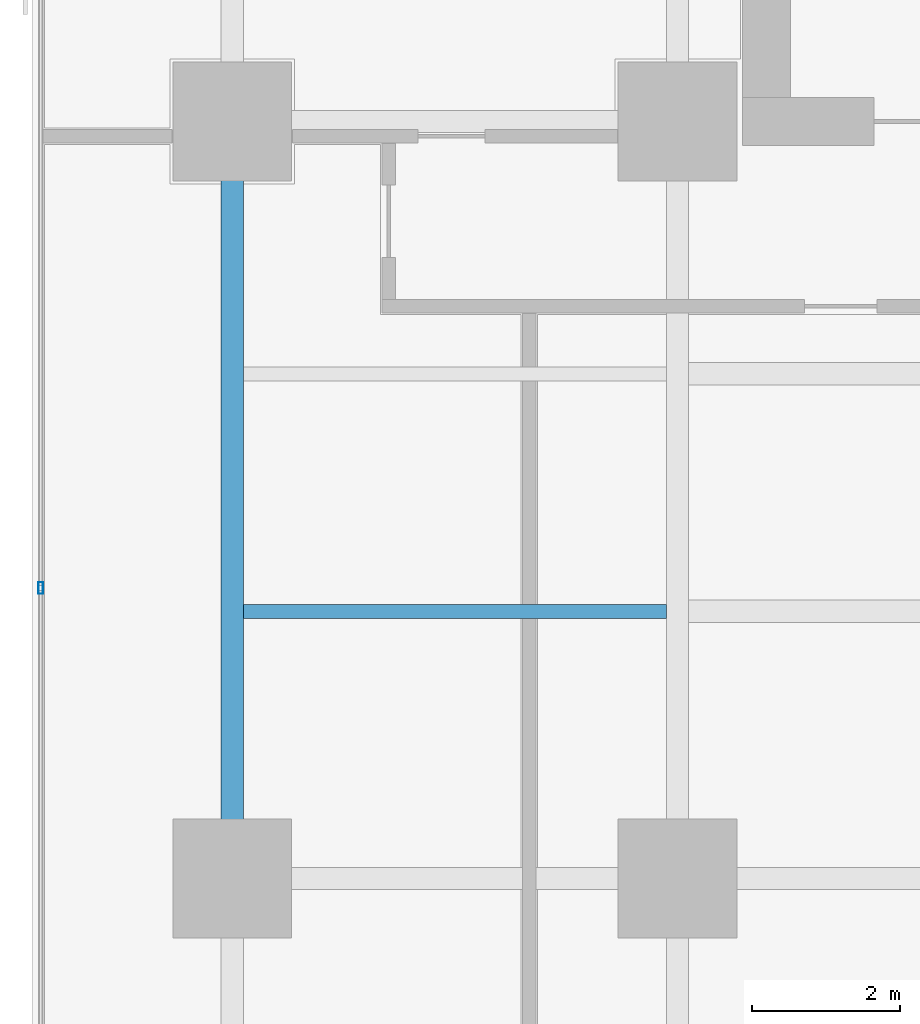
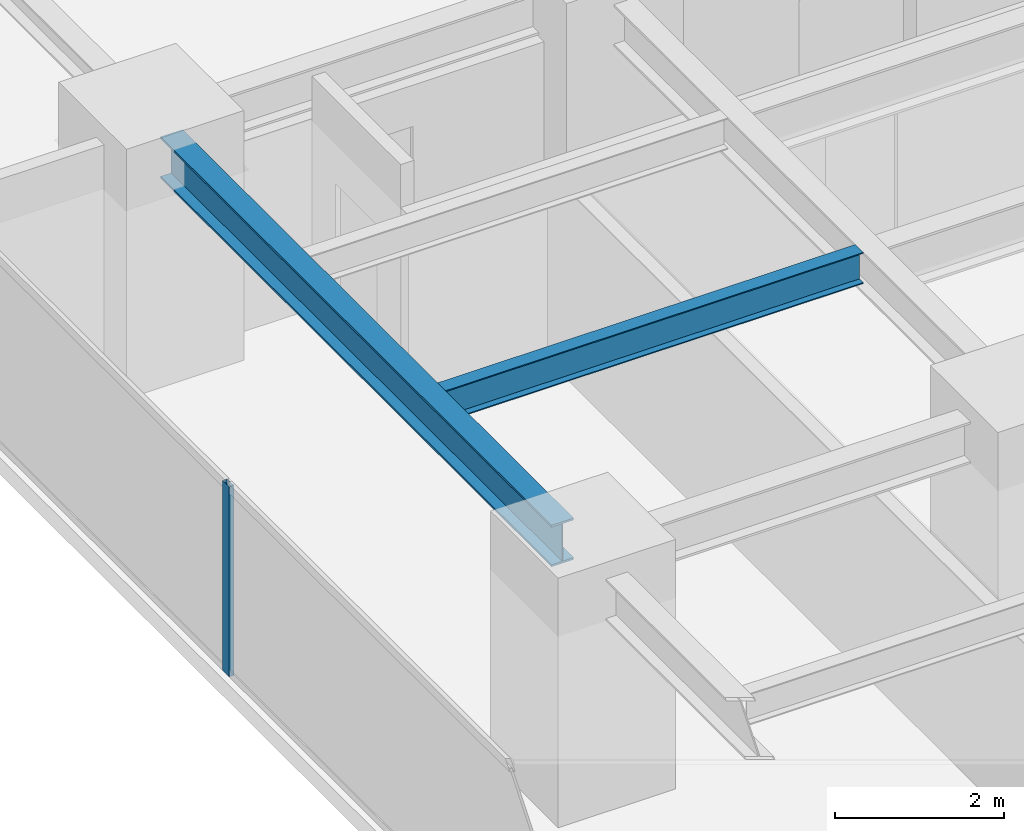
# One storey, part 10 of 36: 2 beams, 1 member, 1 element without a shape of its own.
"""IFC4 building model written with IfcOpenShell, lengths in metres."""

from ifc_helpers import new_model, si_unit, direction, frame, origin, origin_2d, place, context, subcontext, project, spatial, hollow_rectangle, i_section, extrude, source, transform, mapped, material, layer, layer_set, material_profile, profile_set, type_object, element, aggregate, save


model = new_model("IFC4")

# Units and contexts
model_context = context("Model", 3, precision=1e-05, world=origin(), true_north=direction((0.0, 1.0)))
body_context = subcontext(model_context, "Body", "Model", "MODEL_VIEW")
ifc_project = project(units=[si_unit("LENGTHUNIT", "METRE"), si_unit("AREAUNIT", "SQUARE_METRE"), si_unit("VOLUMEUNIT", "CUBIC_METRE"), si_unit("PLANEANGLEUNIT", "RADIAN"), si_unit("MASSUNIT", "GRAM", prefix="KILO")], contexts=[model_context])

# Site, building, storey
site_placement = place(None, origin())
site = spatial("IfcSite", under=ifc_project, at=site_placement, CompositionType="ELEMENT")
building_placement = place(site_placement, origin())
building = spatial("IfcBuilding", under=site, at=building_placement, Name="Sumidabori Civic Tower", CompositionType="ELEMENT")
storey_placement = place(building_placement, frame((0.0, 0.0, 113.60009765625)))
storey = spatial("IfcBuildingStorey", under=building, at=storey_placement, Name="L29", CompositionType="ELEMENT", Elevation=113.60009765625)

# Beams
ifc_material_1 = material(Name="Steel SN490", Category="steel")
ifc_material_profile_1 = material_profile(ifc_material_1, i_section(OverallWidth=0.300048828125, OverallDepth=0.60009765625, WebThickness=0.015380859375, FlangeThickness=0.030029296875, at=origin_2d()), Name="HE 600 B")
ifc_profile_set_1 = profile_set([ifc_material_profile_1], Name="Steel SN490")
beam_type_1 = type_object("IfcBeamType", Name="BM-GIRD-600", PredefinedType="BEAM", material=ifc_profile_set_1)
shared_shape_1 = source(origin(), body_context, "Body", "SweptSolid", [
    extrude(i_section(OverallWidth=0.300048828125, OverallDepth=0.60009765625, WebThickness=0.015380859375, FlangeThickness=0.030029296875, at=origin_2d()), origin(), (0.0, 0.0, 1.0), 9.239990234375),
])
beam_1_placement = place(storey_placement, frame((-22.800048828125, 0.47998046875, 3.059814453125), z_axis=(0.0, 1.0, 0.0), x_axis=(-1.0, 0.0, 0.0)))
element("IfcBeam", 1, at=beam_1_placement, inside=storey, type_object=beam_type_1, Name="Primary Girder L29 GY-23", PredefinedType="BEAM", context=body_context, shape_type="MappedRepresentation", body=[
    mapped(shared_shape_1, transform((0.0, 0.0, 0.0), x_axis=(1.0, 0.0, 0.0), y_axis=(0.0, 1.0, 0.0), z_axis=(0.0, 0.0, 1.0), scale=1.0)),
])
ifc_material_profile_2 = material_profile(ifc_material_1, i_section(OverallWidth=0.18994140625, OverallDepth=0.449951171875, WebThickness=0.009521484375, FlangeThickness=0.0146484375, at=origin_2d()), Name="IPE 450")
ifc_profile_set_2 = profile_set([ifc_material_profile_2], Name="Steel SN490")
beam_type_2 = type_object("IfcBeamType", Name="BM-JST-450", PredefinedType="JOIST", material=ifc_profile_set_2)
shared_shape_2 = source(origin(), body_context, "Body", "SweptSolid", [
    extrude(i_section(OverallWidth=0.18994140625, OverallDepth=0.449951171875, WebThickness=0.009521484375, FlangeThickness=0.0146484375, at=origin_2d()), origin(), (0.0, 0.0, 1.0), 5.699951171875),
])
beam_2_placement = place(storey_placement, frame((-22.64990234375, 3.60009765625, 3.135009765625), z_axis=(1.0, 0.0, 0.0), x_axis=(0.0, 1.0, 0.0)))
element("IfcBeam", 2, at=beam_2_placement, inside=storey, type_object=beam_type_2, Name="Outer Bay Floor Joist L29 JSTO-47", PredefinedType="JOIST", context=body_context, shape_type="MappedRepresentation", body=[
    mapped(shared_shape_2, transform((0.0, 0.0, 0.0), x_axis=(1.0, 0.0, 0.0), y_axis=(0.0, 1.0, 0.0), z_axis=(0.0, 0.0, 1.0), scale=1.0)),
])

# Curtain wall, member
ifc_material_2 = material(Name="Anodised Bronze Aluminium AW-6063-T6", Category="aluminium")
ifc_layer = layer(ifc_material_2, 0.179931640625, Name="Anodised Bronze Aluminium AW-6063-T6")
ifc_layer_set = layer_set([ifc_layer], Name="Anodised Bronze Aluminium AW-6063-T6")
curtain_wall_type = type_object("IfcCurtainWallType", Name="CW-SYS-3", PredefinedType="NOTDEFINED", material=ifc_layer_set)
curtain_wall_placement = place(storey_placement, origin())
curtain_wall = element("IfcCurtainWall", 3, at=curtain_wall_placement, inside=storey, type_object=curtain_wall_type, Name="Curtain Wall CW:L29:R10", PredefinedType="NOTDEFINED")
ifc_material_profile_3 = material_profile(ifc_material_2, hollow_rectangle(XDim=0.06494140625, YDim=0.159912109375, WallThickness=0.0048828125, at=origin_2d()), Name="ALU MULLION 160x65")
ifc_profile_set_3 = profile_set([ifc_material_profile_3], Name="Anodised Bronze Aluminium AW-6063-T6")
member_type = type_object("IfcMemberType", Name="CW-MUL-160", PredefinedType="MULLION", material=ifc_profile_set_3)
shared_shape_3 = source(origin(), body_context, "Body", "SweptSolid", [
    extrude(hollow_rectangle(XDim=0.06494140625, YDim=0.159912109375, WallThickness=0.0048828125, at=origin_2d()), origin(), (0.0, 0.0, 1.0), 2.739990234375),
])
member_placement = place(storey_placement, frame((-25.3798828125, 3.9140625, 0.0), z_axis=(0.0, 0.0, 1.0), x_axis=(1.0, 0.0, 0.0)))
member = element("IfcMember", 4, at=member_placement, type_object=member_type, Name="CW-3 mullion 3", PredefinedType="MULLION", context=body_context, shape_type="MappedRepresentation", body=[
    mapped(shared_shape_3, transform((0.0, 0.0, 0.0), x_axis=(1.0, 0.0, 0.0), y_axis=(0.0, 1.0, 0.0), z_axis=(0.0, 0.0, 1.0), scale=1.0)),
])
aggregate(curtain_wall, [member])

save(model, "model.ifc")
